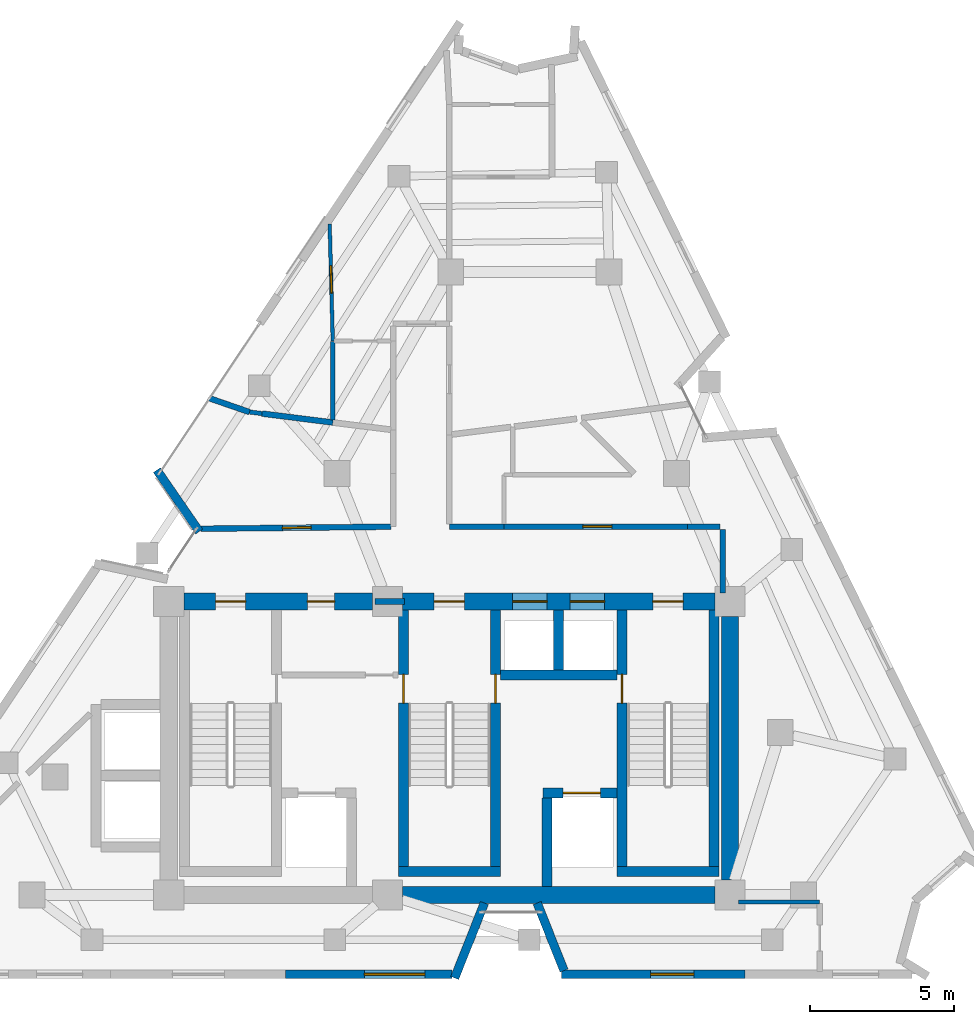
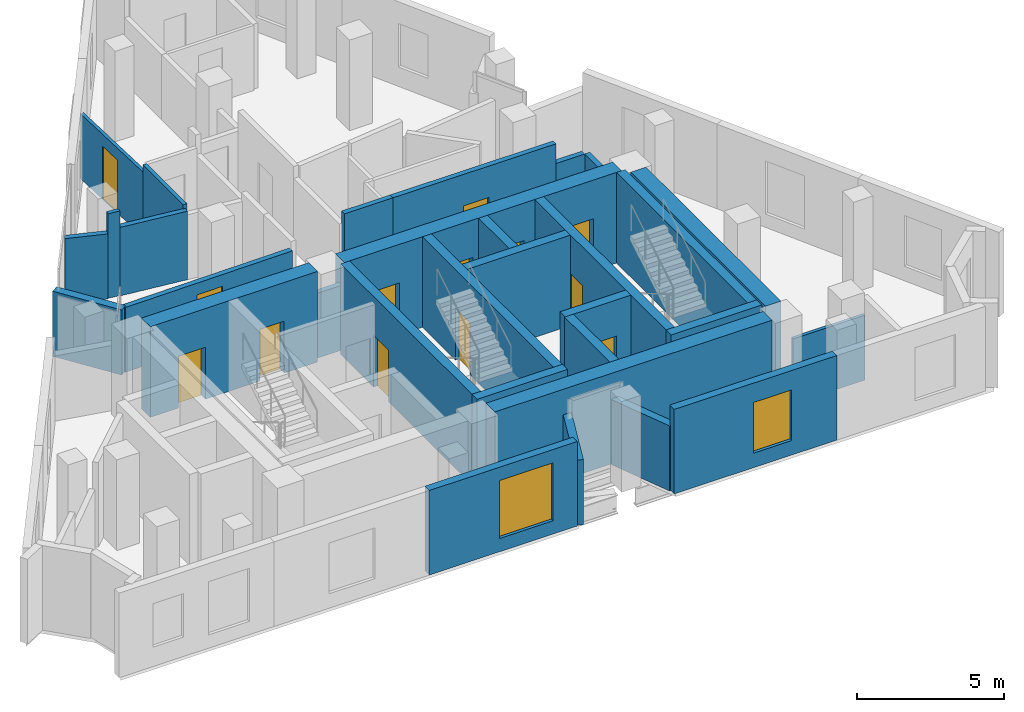
# One storey, part 5 of 8: 31 walls, 13 doors, 2 windows, 15 openings.
"""IFC4 building model written with IfcOpenShell, lengths in metres."""

from ifc_helpers import new_model, si_unit, direction, frame, frame_2d, origin, place, context, subcontext, project, spatial, rectangle, extrude, material, layer, layer_set, type_object, element, fill, save


model = new_model("IFC4")

# Units and contexts
model_context = context("Model", 3, precision=1e-05, world=origin(), true_north=direction((0.0, 1.0)))
body_context = subcontext(model_context, "Body", "Model", "MODEL_VIEW")
ifc_project = project(units=[si_unit("LENGTHUNIT", "METRE"), si_unit("AREAUNIT", "SQUARE_METRE"), si_unit("VOLUMEUNIT", "CUBIC_METRE"), si_unit("PLANEANGLEUNIT", "RADIAN"), si_unit("MASSUNIT", "GRAM", prefix="KILO")], contexts=[model_context])

# Site, building, storey
site_placement = place(None, origin())
site = spatial("IfcSite", under=ifc_project, at=site_placement, CompositionType="ELEMENT")
building_placement = place(site_placement, origin())
building = spatial("IfcBuilding", under=site, at=building_placement, Name="Almagre Mirador Tower", CompositionType="ELEMENT")
storey_placement = place(building_placement, frame((0.0, 0.0, 282.0)))
storey = spatial("IfcBuildingStorey", under=building, at=storey_placement, Name="L73", CompositionType="ELEMENT", Elevation=282.0)

# Wall
ifc_material_1 = material(Name="Precast concrete C50/60", Category="concrete")
ifc_layer_1 = layer(ifc_material_1, 0.300048828125)
ifc_layer_set_1 = layer_set([ifc_layer_1], Name="Precast concrete C50/60")
wall_type_1 = type_object("IfcWallType", Name="WAL-EXT-300", PredefinedType="SOLIDWALL", material=ifc_layer_set_1)
wall_1_placement = place(storey_placement, frame((28.609619140625, 17.180908203125, 0.0), z_axis=(0.0, 0.0, 1.0), x_axis=(-0.567878097956, 0.823112668996, 0.0)))
element("IfcWall", 1, at=wall_1_placement, inside=storey, type_object=wall_type_1, Name="L73 expressed almagre precast frame wall 02", PredefinedType="SOLIDWALL", context=body_context, shape_type="SweptSolid", body=[
    extrude(rectangle(XDim=2.59423828125, YDim=0.300048828125, at=frame_2d((1.297119140625, 0.0))), origin(), (0.0, 0.0, 1.0), 2.696044921875),
])

# Wall, opening, window
wall_2_placement = place(storey_placement, frame((47.568115234375, 1.800048828125, 0.0), z_axis=(0.0, 0.0, 1.0), x_axis=(-1.0, 0.0, 0.0)))
wall_2 = element("IfcWall", 2, at=wall_2_placement, inside=storey, type_object=wall_type_1, Name="L73 expressed almagre precast frame wall 21", PredefinedType="SOLIDWALL", context=body_context, shape_type="SweptSolid", body=[
    extrude(rectangle(XDim=6.3720703125, YDim=0.300048828125, at=frame_2d((3.18603515625, 0.0))), origin(), (0.0, 0.0, 1.0), 3.5),
])
opening_1_placement = place(wall_2_placement, frame((1.77490234375, 0.0, 0.60009765625)))
opening_1 = element("IfcOpeningElement", 3, at=opening_1_placement, cuts=wall_2, Name="Opening WN-03", PredefinedType="OPENING", context=body_context, shape_type="SweptSolid", body=[
    extrude(rectangle(XDim=1.5, YDim=2.10009765625, at=frame_2d((0.75, 1.050048828125))), frame((0.0, 0.159902, 0.0), z_axis=(0.0, -1.0, 0.0), x_axis=(1.0, 0.0, 0.0)), (0.0, 0.0, 1.0), 0.320049),
])
ifc_material_2 = material(Name="Dark solar-control laminated hurricane glass", Category="glass")
window_type_1 = type_object("IfcWindowType", Name="WIN-1500X2100", PartitioningType="DOUBLE_PANEL_VERTICAL", PredefinedType="WINDOW", material=ifc_material_2)
window_1_placement = place(opening_1_placement, origin())
window_1 = element("IfcWindow", 4, at=window_1_placement, inside=storey, type_object=window_type_1, Name="L73 recessed hurricane window L73-UB-KT", OverallHeight=2.10009765625, OverallWidth=1.5, PartitioningType="SINGLE_PANEL", PredefinedType="WINDOW", context=body_context, shape_type="SweptSolid", body=[
    extrude(rectangle(XDim=1.5, YDim=2.10009765625, at=frame_2d((0.75, 1.050048828125))), frame((0.0, 0.030029296875, 0.0), z_axis=(0.0, -1.0, 0.0), x_axis=(1.0, 0.0, 0.0)), (0.0, 0.0, 1.0), 0.06005859375),
])
fill(opening_1, window_1)

# Walls
wall_3_placement = place(storey_placement, frame((41.2861328125, 1.92529296875, 0.0), z_axis=(0.0, 0.0, 1.0), x_axis=(-0.369540985735, 0.929214431583, 0.0)))
element("IfcWall", 5, at=wall_3_placement, inside=storey, type_object=wall_type_1, Name="L73 expressed almagre precast frame wall 22", PredefinedType="SOLIDWALL", context=body_context, shape_type="SweptSolid", body=[
    extrude(rectangle(XDim=2.527099609375, YDim=0.300048828125, at=frame_2d((1.263671875, 0.0))), origin(), (0.0, 0.0, 1.0), 2.696044921875),
])
wall_4_placement = place(storey_placement, frame((38.51953125, 4.2734375, 0.0), z_axis=(0.0, 0.0, 1.0), x_axis=(-0.369466825356, -0.929243921132, 0.0)))
element("IfcWall", 6, at=wall_4_placement, inside=storey, type_object=wall_type_1, Name="L73 expressed almagre precast frame wall 23", PredefinedType="SOLIDWALL", context=body_context, shape_type="SweptSolid", body=[
    extrude(rectangle(XDim=2.8017578125, YDim=0.300048828125, at=frame_2d((1.40087890625, 0.0))), origin(), (0.0, 0.0, 1.0), 2.696044921875),
])

# Wall, opening, window
wall_5_placement = place(storey_placement, frame((37.40087890625, 1.800048828125, 0.0), z_axis=(0.0, 0.0, 1.0), x_axis=(-1.0, 0.0, 0.0)))
wall_5 = element("IfcWall", 7, at=wall_5_placement, inside=storey, type_object=wall_type_1, Name="L73 expressed almagre precast frame wall 24", PredefinedType="SOLIDWALL", context=body_context, shape_type="SweptSolid", body=[
    extrude(rectangle(XDim=5.796875, YDim=0.300048828125, at=frame_2d((2.8984375, 0.0))), origin(), (0.0, 0.0, 1.0), 3.5),
])
opening_2_placement = place(wall_5_placement, frame((0.949951171875, 0.0, 0.550048828125)))
opening_2 = element("IfcOpeningElement", 8, at=opening_2_placement, cuts=wall_5, Name="Opening WN-05", PredefinedType="OPENING", context=body_context, shape_type="SweptSolid", body=[
    extrude(rectangle(XDim=2.10009765625, YDim=2.39990234375, at=frame_2d((1.050048828125, 1.199951171875))), frame((0.0, 0.159902, 0.0), z_axis=(0.0, -1.0, 0.0), x_axis=(1.0, 0.0, 0.0)), (0.0, 0.0, 1.0), 0.320049),
])
ifc_material_3 = material(Name="Dark solar-control laminated hurricane glass", Category="glass")
window_type_2 = type_object("IfcWindowType", Name="WIN-2100X2400", PartitioningType="DOUBLE_PANEL_VERTICAL", PredefinedType="WINDOW", material=ifc_material_3)
window_2_placement = place(opening_2_placement, origin())
window_2 = element("IfcWindow", 9, at=window_2_placement, inside=storey, type_object=window_type_2, Name="L73 recessed hurricane window L73-UA-MB", OverallHeight=2.39990234375, OverallWidth=2.10009765625, PartitioningType="SINGLE_PANEL", PredefinedType="WINDOW", context=body_context, shape_type="SweptSolid", body=[
    extrude(rectangle(XDim=2.10009765625, YDim=2.39990234375, at=frame_2d((1.050048828125, 1.199951171875))), frame((0.0, 0.030029296875, 0.0), z_axis=(0.0, -1.0, 0.0), x_axis=(1.0, 0.0, 0.0)), (0.0, 0.0, 1.0), 0.06005859375),
])
fill(opening_2, window_2)

# Wall
ifc_material_4 = material(Name="Gypsum acoustic stud partition", Category="other")
ifc_layer_2 = layer(ifc_material_4, 0.125)
ifc_layer_set_2 = layer_set([ifc_layer_2], Name="Gypsum acoustic stud partition")
wall_type_2 = type_object("IfcWallType", Name="WAL-PRT-125-UTL", PredefinedType="PARTITIONING", material=ifc_layer_set_2)
wall_6_placement = place(storey_placement, frame((47.35009765625, 4.31005859375, 0.0), z_axis=(0.0, 0.0, 1.0), x_axis=(1.0, 0.0, 0.0)))
element("IfcWall", 10, at=wall_6_placement, inside=storey, type_object=wall_type_2, Name="L73 interior partition 022", PredefinedType="PARTITIONING", context=body_context, shape_type="SweptSolid", body=[
    extrude(rectangle(XDim=2.81982421875, YDim=0.125, at=frame_2d((1.409912109375, 0.0))), origin(), (0.0, 0.0, 1.0), 2.68505859375),
])

# Wall, opening, door
wall_7_placement = place(storey_placement, frame((33.14111328125, 27.863037109375, 0.0), z_axis=(0.0, 0.0, 1.0), x_axis=(0.02679004463, -0.999641082343, 0.0)))
wall_7 = element("IfcWall", 11, at=wall_7_placement, inside=storey, type_object=wall_type_2, Name="L73 interior partition 052", PredefinedType="PARTITIONING", context=body_context, shape_type="SweptSolid", body=[
    extrude(rectangle(XDim=4.064453125, YDim=0.125, at=frame_2d((2.0322265625, 0.0))), origin(), (0.0, 0.0, 1.0), 2.69091796875),
])
opening_3_placement = place(wall_7_placement, frame((1.44580078125, 0.0, 0.0)))
opening_3 = element("IfcOpeningElement", 12, at=opening_3_placement, cuts=wall_7, Name="Opening UD-01", PredefinedType="OPENING", context=body_context, shape_type="SweptSolid", body=[
    extrude(rectangle(XDim=0.949951171875, YDim=2.199951171875, at=frame_2d((0.47509765625, 1.10009765625))), frame((0.0, 0.0725, 0.0), z_axis=(0.0, -1.0, 0.0), x_axis=(1.0, 0.0, 0.0)), (0.0, 0.0, 1.0), 0.145),
])
ifc_material_5 = material(Name="Solid American walnut timber", Category="wood")
door_type_1 = type_object("IfcDoorType", Name="DOR-UNR-950X2200", OperationType="NOTDEFINED", PredefinedType="DOOR", material=ifc_material_5)
door_1_placement = place(opening_3_placement, origin())
door_1 = element("IfcDoor", 13, at=door_1_placement, inside=storey, type_object=door_type_1, Name="DR-2198 L73 interior door L73-UH-ST to L73-UH-KT", OperationType="SINGLE_SWING_LEFT", OverallHeight=2.199951171875, OverallWidth=0.949951171875, PredefinedType="DOOR", context=body_context, shape_type="SweptSolid", body=[
    extrude(rectangle(XDim=0.949951171875, YDim=2.199951171875, at=frame_2d((0.47509765625, 1.10009765625))), frame((0.0, 0.02490234375, 0.0), z_axis=(0.0, -1.0, 0.0), x_axis=(1.0, 0.0, 0.0)), (0.0, 0.0, 1.0), 0.050048828125),
])
fill(opening_3, door_1)

# Walls
ifc_material_6 = material(Name="Gypsum acoustic stud partition", Category="other")
ifc_layer_3 = layer(ifc_material_6, 0.14990234375)
ifc_layer_set_3 = layer_set([ifc_layer_3], Name="Gypsum acoustic stud partition")
wall_type_3 = type_object("IfcWallType", Name="WAL-PRT-150-STD", PredefinedType="PARTITIONING", material=ifc_layer_set_3)
wall_8_placement = place(storey_placement, frame((33.25, 21.054931640625, 0.0), z_axis=(0.0, 0.0, 1.0), x_axis=(0.0, 1.0, 0.0)))
element("IfcWall", 14, at=wall_8_placement, inside=storey, type_object=wall_type_3, Name="L73 interior partition 057", PredefinedType="PARTITIONING", context=body_context, shape_type="SweptSolid", body=[
    extrude(rectangle(XDim=2.732666015625, YDim=0.14990234375, at=frame_2d((1.3662109375, 0.0))), origin(), (0.0, 0.0, 1.0), 3.010009765625),
])
wall_9_placement = place(storey_placement, frame((30.7900390625, 21.281005859375, 0.0), z_axis=(0.0, 0.0, 1.0), x_axis=(-0.992146717956, 0.125079534893, 0.0)))
element("IfcWall", 15, at=wall_9_placement, inside=storey, type_object=wall_type_3, Name="L73 interior partition 068", PredefinedType="PARTITIONING", context=body_context, shape_type="SweptSolid", body=[
    extrude(rectangle(XDim=0.431396484375, YDim=0.14990234375, at=frame_2d((0.2158203125, 0.0))), origin(), (0.0, 0.0, 1.0), 3.5),
])
ifc_material_7 = material(Name="Gypsum acoustic stud partition", Category="other")
ifc_layer_4 = layer(ifc_material_7, 0.199951171875)
ifc_layer_set_4 = layer_set([ifc_layer_4], Name="Gypsum acoustic stud partition")
wall_type_4 = type_object("IfcWallType", Name="WAL-PRT-200-EI60", PredefinedType="PARTITIONING", material=ifc_layer_set_4)
wall_10_placement = place(storey_placement, frame((34.719970703125, 14.75, 0.0), z_axis=(0.0, 0.0, 1.0), x_axis=(1.0, 0.0, 0.0)))
element("IfcWall", 16, at=wall_10_placement, inside=storey, type_object=wall_type_4, Name="L73 core north closure wall", PredefinedType="PARTITIONING", context=body_context, shape_type="SweptSolid", body=[
    extrude(rectangle(XDim=1.030029296875, YDim=0.199951171875, at=frame_2d((0.51513671875, 0.0))), origin(), (0.0, 0.0, 1.0), 2.68505859375),
])

# Wall, opening, door
wall_11_placement = place(storey_placement, frame((35.264892578125, 17.349365234375, 0.0), z_axis=(0.0, 0.0, 1.0), x_axis=(-0.999941633147, -0.010804179718, 0.0)))
wall_11 = element("IfcWall", 17, at=wall_11_placement, inside=storey, type_object=wall_type_4, Name="L73 interior partition 003", PredefinedType="PARTITIONING", context=body_context, shape_type="SweptSolid", body=[
    extrude(rectangle(XDim=6.598388671875, YDim=0.199951171875, at=frame_2d((3.29931640625, 0.0))), origin(), (0.0, 0.0, 1.0), 2.68505859375),
])
opening_4_placement = place(wall_11_placement, frame((2.76611328125, 0.0, 0.0)))
opening_4 = element("IfcOpeningElement", 18, at=opening_4_placement, cuts=wall_11, Name="Opening ID-01", PredefinedType="OPENING", context=body_context, shape_type="SweptSolid", body=[
    extrude(rectangle(XDim=1.0, YDim=2.199951171875, at=frame_2d((0.5, 1.10009765625))), frame((0.0, 0.110098, 0.0), z_axis=(0.0, -1.0, 0.0), x_axis=(1.0, 0.0, 0.0)), (0.0, 0.0, 1.0), 0.219951),
])
ifc_material_8 = material(Name="Fire-rated walnut timber", Category="wood")
door_type_2 = type_object("IfcDoorType", Name="DOR-FD60-1000X2200", OperationType="NOTDEFINED", PredefinedType="DOOR", material=ifc_material_8)
door_2_placement = place(opening_4_placement, origin())
door_2 = element("IfcDoor", 19, at=door_2_placement, inside=storey, type_object=door_type_2, Name="DR-2195 L73 interior door L73-RCOR to L73-UE-ST", OperationType="SINGLE_SWING_LEFT", OverallHeight=2.199951171875, OverallWidth=1.0, PredefinedType="DOOR", context=body_context, shape_type="SweptSolid", body=[
    extrude(rectangle(XDim=1.0, YDim=2.199951171875, at=frame_2d((0.5, 1.10009765625))), frame((0.0, 0.02490234375, 0.0), z_axis=(0.0, -1.0, 0.0), x_axis=(1.0, 0.0, 0.0)), (0.0, 0.0, 1.0), 0.050048828125),
])
fill(opening_4, door_2)

wall_12_placement = place(storey_placement, frame((45.570068359375, 17.35009765625, 0.0), z_axis=(0.0, 0.0, 1.0), x_axis=(-1.0, 0.0, 0.0)))
wall_12 = element("IfcWall", 20, at=wall_12_placement, inside=storey, type_object=wall_type_4, Name="L73 interior partition 005", PredefinedType="PARTITIONING", context=body_context, shape_type="SweptSolid", body=[
    extrude(rectangle(XDim=6.3701171875, YDim=0.199951171875, at=frame_2d((3.18505859375, 0.0))), origin(), (0.0, 0.0, 1.0), 3.5),
])
opening_5_placement = place(wall_12_placement, frame((2.625732421875, 0.0, 0.0)))
opening_5 = element("IfcOpeningElement", 21, at=opening_5_placement, cuts=wall_12, Name="Opening ID-01", PredefinedType="OPENING", context=body_context, shape_type="SweptSolid", body=[
    extrude(rectangle(XDim=1.0, YDim=2.199951171875, at=frame_2d((0.5, 1.10009765625))), frame((0.0, 0.110098, 0.0), z_axis=(0.0, -1.0, 0.0), x_axis=(1.0, 0.0, 0.0)), (0.0, 0.0, 1.0), 0.219951),
])
door_3_placement = place(opening_5_placement, origin())
door_3 = element("IfcDoor", 22, at=door_3_placement, inside=storey, type_object=door_type_2, Name="DR-2196 L73 interior door L73-RCOR to L73-UF-ST", OperationType="SINGLE_SWING_RIGHT", OverallHeight=2.199951171875, OverallWidth=1.0, PredefinedType="DOOR", context=body_context, shape_type="SweptSolid", body=[
    extrude(rectangle(XDim=1.0, YDim=2.199951171875, at=frame_2d((0.5, 1.10009765625))), frame((0.0, 0.02490234375, 0.0), z_axis=(0.0, -1.0, 0.0), x_axis=(1.0, 0.0, 0.0)), (0.0, 0.0, 1.0), 0.050048828125),
])
fill(opening_5, door_3)

# Walls
wall_13_placement = place(storey_placement, frame((39.199951171875, 17.35009765625, 0.0), z_axis=(0.0, 0.0, 1.0), x_axis=(-1.0, 0.0, 0.0)))
element("IfcWall", 23, at=wall_13_placement, inside=storey, type_object=wall_type_4, Name="L73 interior partition 006", PredefinedType="PARTITIONING", context=body_context, shape_type="SweptSolid", body=[
    extrude(rectangle(XDim=1.89990234375, YDim=0.199951171875, at=frame_2d((0.949951171875, 0.0))), origin(), (0.0, 0.0, 1.0), 3.5),
])
wall_14_placement = place(storey_placement, frame((30.360107421875, 21.330078125, 0.0), z_axis=(0.0, 0.0, 1.0), x_axis=(-0.945148583182, 0.32664071349, 0.0)))
element("IfcWall", 24, at=wall_14_placement, inside=storey, type_object=wall_type_4, Name="L73 interior partition 036", PredefinedType="PARTITIONING", context=body_context, shape_type="SweptSolid", body=[
    extrude(rectangle(XDim=1.4814453125, YDim=0.199951171875, at=frame_2d((0.74072265625, 0.0))), origin(), (0.0, 0.0, 1.0), 2.69091796875),
])
wall_15_placement = place(storey_placement, frame((33.25, 20.969970703125, 0.0), z_axis=(0.0, 0.0, 1.0), x_axis=(-0.992150105298, 0.125052663133, 0.0)))
element("IfcWall", 25, at=wall_15_placement, inside=storey, type_object=wall_type_4, Name="L73 interior partition 037", PredefinedType="PARTITIONING", context=body_context, shape_type="SweptSolid", body=[
    extrude(rectangle(XDim=2.4794921875, YDim=0.199951171875, at=frame_2d((1.23974609375, 0.0))), origin(), (0.0, 0.0, 1.0), 2.8349609375),
])
wall_16_placement = place(storey_placement, frame((46.699951171875, 17.35009765625, 0.0), z_axis=(0.0, 0.0, 1.0), x_axis=(-1.0, 0.0, 0.0)))
element("IfcWall", 26, at=wall_16_placement, inside=storey, type_object=wall_type_4, Name="L73 interior partition 063", PredefinedType="PARTITIONING", context=body_context, shape_type="SweptSolid", body=[
    extrude(rectangle(XDim=1.1298828125, YDim=0.199951171875, at=frame_2d((0.56494140625, 0.0))), origin(), (0.0, 0.0, 1.0), 2.68505859375),
])
wall_17_placement = place(storey_placement, frame((46.800048828125, 15.050048828125, 0.0), z_axis=(0.0, 0.0, 1.0), x_axis=(0.0, 1.0, 0.0)))
element("IfcWall", 27, at=wall_17_placement, inside=storey, type_object=wall_type_4, Name="L73 interior partition 064", PredefinedType="PARTITIONING", context=body_context, shape_type="SweptSolid", body=[
    extrude(rectangle(XDim=2.2099609375, YDim=0.199951171875, at=frame_2d((1.10498046875, 0.0))), origin(), (0.0, 0.0, 1.0), 2.68505859375),
])

# Wall, opening, door
ifc_material_9 = material(Name="Concrete C60/75", Category="concrete")
ifc_layer_5 = layer(ifc_material_9, 0.35009765625)
ifc_layer_set_5 = layer_set([ifc_layer_5], Name="Concrete C60/75")
wall_type_5 = type_object("IfcWallType", Name="WAL-SHF-350", PredefinedType="SOLIDWALL", material=ifc_layer_set_5)
wall_18_placement = place(storey_placement, frame((35.699951171875, 5.199951171875, 0.0), z_axis=(0.0, 0.0, 1.0), x_axis=(0.0, 1.0, 0.0)))
wall_18 = element("IfcWall", 28, at=wall_18_placement, inside=storey, type_object=wall_type_5, Name="L73 shaft wall ST2-W", PredefinedType="SOLIDWALL", context=body_context, shape_type="SweptSolid", body=[
    extrude(rectangle(XDim=9.25, YDim=0.35009765625, at=frame_2d((4.625, 0.0))), origin(), (0.0, 0.0, 1.0), 3.75),
])
opening_6_placement = place(wall_18_placement, frame((6.02001953125, 0.0, 0.0)))
opening_6 = element("IfcOpeningElement", 29, at=opening_6_placement, cuts=wall_18, Name="Opening FD-01", PredefinedType="OPENING", context=body_context, shape_type="SweptSolid", body=[
    extrude(rectangle(XDim=1.0, YDim=2.14990234375, at=frame_2d((0.5, 1.074951171875))), frame((0.0, 0.185049, 0.0), z_axis=(0.0, -1.0, 0.0), x_axis=(1.0, 0.0, 0.0)), (0.0, 0.0, 1.0), 0.370098),
])
ifc_material_10 = material(Name="Fire-rated hollow steel", Category="steel")
door_type_3 = type_object("IfcDoorType", Name="DOR-FFL-1000X2150", OperationType="NOTDEFINED", PredefinedType="DOOR", material=ifc_material_10)
door_4_placement = place(opening_6_placement, origin())
door_4 = element("IfcDoor", 30, at=door_4_placement, inside=storey, type_object=door_type_3, Name="DR-2192 L73 FFL1-ST2 smokeproof door", OperationType="SINGLE_SWING_LEFT", OverallHeight=2.14990234375, OverallWidth=1.0, PredefinedType="DOOR", context=body_context, shape_type="SweptSolid", body=[
    extrude(rectangle(XDim=1.0, YDim=2.14990234375, at=frame_2d((0.5, 1.074951171875))), frame((0.0, 0.02490234375, 0.0), z_axis=(0.0, -1.0, 0.0), x_axis=(1.0, 0.0, 0.0)), (0.0, 0.0, 1.0), 0.050048828125),
])
fill(opening_6, door_4)

wall_19_placement = place(storey_placement, frame((38.89990234375, 5.199951171875, 0.0), z_axis=(0.0, 0.0, 1.0), x_axis=(0.0, 1.0, 0.0)))
wall_19 = element("IfcWall", 31, at=wall_19_placement, inside=storey, type_object=wall_type_5, Name="L73 shaft wall ST2-E", PredefinedType="SOLIDWALL", context=body_context, shape_type="SweptSolid", body=[
    extrude(rectangle(XDim=9.25, YDim=0.35009765625, at=frame_2d((4.625, 0.0))), origin(), (0.0, 0.0, 1.0), 3.75),
])
opening_7_placement = place(wall_19_placement, frame((6.02001953125, 0.0, 0.0)))
opening_7 = element("IfcOpeningElement", 32, at=opening_7_placement, cuts=wall_19, Name="Opening FD-01", PredefinedType="OPENING", context=body_context, shape_type="SweptSolid", body=[
    extrude(rectangle(XDim=1.0, YDim=2.14990234375, at=frame_2d((0.5, 1.074951171875))), frame((0.0, 0.185049, 0.0), z_axis=(0.0, -1.0, 0.0), x_axis=(1.0, 0.0, 0.0)), (0.0, 0.0, 1.0), 0.370098),
])
door_5_placement = place(opening_7_placement, origin())
door_5 = element("IfcDoor", 33, at=door_5_placement, inside=storey, type_object=door_type_3, Name="DR-2193 L73 FFL2-ST2 smokeproof door", OperationType="SINGLE_SWING_RIGHT", OverallHeight=2.14990234375, OverallWidth=1.0, PredefinedType="DOOR", context=body_context, shape_type="SweptSolid", body=[
    extrude(rectangle(XDim=1.0, YDim=2.14990234375, at=frame_2d((0.5, 1.074951171875))), frame((0.0, 0.02490234375, 0.0), z_axis=(0.0, -1.0, 0.0), x_axis=(1.0, 0.0, 0.0)), (0.0, 0.0, 1.0), 0.050048828125),
])
fill(opening_7, door_5)

# Wall
wall_20_placement = place(storey_placement, frame((35.52490234375, 5.375, 0.0), z_axis=(0.0, 0.0, 1.0), x_axis=(1.0, 0.0, 0.0)))
element("IfcWall", 34, at=wall_20_placement, inside=storey, type_object=wall_type_5, Name="L73 shaft wall ST2-S", PredefinedType="SOLIDWALL", context=body_context, shape_type="SweptSolid", body=[
    extrude(rectangle(XDim=3.550048828125, YDim=0.35009765625, at=frame_2d((1.77490234375, 0.0))), origin(), (0.0, 0.0, 1.0), 3.75),
])

# Wall, opening, door
wall_21_placement = place(storey_placement, frame((43.300048828125, 5.199951171875, 0.0), z_axis=(0.0, 0.0, 1.0), x_axis=(0.0, 1.0, 0.0)))
wall_21 = element("IfcWall", 35, at=wall_21_placement, inside=storey, type_object=wall_type_5, Name="L73 shaft wall ST3-W", PredefinedType="SOLIDWALL", context=body_context, shape_type="SweptSolid", body=[
    extrude(rectangle(XDim=9.25, YDim=0.35009765625, at=frame_2d((4.625, 0.0))), origin(), (0.0, 0.0, 1.0), 3.75),
])
opening_8_placement = place(wall_21_placement, frame((6.02001953125, 0.0, 0.0)))
opening_8 = element("IfcOpeningElement", 36, at=opening_8_placement, cuts=wall_21, Name="Opening FD-01", PredefinedType="OPENING", context=body_context, shape_type="SweptSolid", body=[
    extrude(rectangle(XDim=1.0, YDim=2.14990234375, at=frame_2d((0.5, 1.074951171875))), frame((0.0, 0.185049, 0.0), z_axis=(0.0, -1.0, 0.0), x_axis=(1.0, 0.0, 0.0)), (0.0, 0.0, 1.0), 0.370098),
])
door_6_placement = place(opening_8_placement, origin())
door_6 = element("IfcDoor", 37, at=door_6_placement, inside=storey, type_object=door_type_3, Name="DR-2194 L73 FFL2-ST3 smokeproof door", OperationType="SINGLE_SWING_LEFT", OverallHeight=2.14990234375, OverallWidth=1.0, PredefinedType="DOOR", context=body_context, shape_type="SweptSolid", body=[
    extrude(rectangle(XDim=1.0, YDim=2.14990234375, at=frame_2d((0.5, 1.074951171875))), frame((0.0, 0.02490234375, 0.0), z_axis=(0.0, -1.0, 0.0), x_axis=(1.0, 0.0, 0.0)), (0.0, 0.0, 1.0), 0.050048828125),
])
fill(opening_8, door_6)

# Walls
wall_22_placement = place(storey_placement, frame((46.5, 5.199951171875, 0.0), z_axis=(0.0, 0.0, 1.0), x_axis=(0.0, 1.0, 0.0)))
element("IfcWall", 38, at=wall_22_placement, inside=storey, type_object=wall_type_5, Name="L73 shaft wall ST3-E", PredefinedType="SOLIDWALL", context=body_context, shape_type="SweptSolid", body=[
    extrude(rectangle(XDim=9.25, YDim=0.35009765625, at=frame_2d((4.625, 0.0))), origin(), (0.0, 0.0, 1.0), 3.75),
])
wall_23_placement = place(storey_placement, frame((43.125, 5.375, 0.0), z_axis=(0.0, 0.0, 1.0), x_axis=(1.0, 0.0, 0.0)))
element("IfcWall", 39, at=wall_23_placement, inside=storey, type_object=wall_type_5, Name="L73 shaft wall ST3-S", PredefinedType="SOLIDWALL", context=body_context, shape_type="SweptSolid", body=[
    extrude(rectangle(XDim=3.550048828125, YDim=0.35009765625, at=frame_2d((1.77490234375, 0.0))), origin(), (0.0, 0.0, 1.0), 3.75),
])

# Wall, opening, door
wall_24_placement = place(storey_placement, frame((40.550048828125, 8.10009765625, 0.0), z_axis=(0.0, 0.0, 1.0), x_axis=(1.0, 0.0, 0.0)))
wall_24 = element("IfcWall", 40, at=wall_24_placement, inside=storey, type_object=wall_type_5, Name="L73 shaft wall FSAE2-N", PredefinedType="SOLIDWALL", context=body_context, shape_type="SweptSolid", body=[
    extrude(rectangle(XDim=2.574951171875, YDim=0.35009765625, at=frame_2d((1.28759765625, 0.0))), origin(), (0.0, 0.0, 1.0), 3.75),
])
opening_9_placement = place(wall_24_placement, frame((0.699951171875, 0.0, 0.0)))
opening_9 = element("IfcOpeningElement", 41, at=opening_9_placement, cuts=wall_24, Name="Opening LD-03", PredefinedType="OPENING", context=body_context, shape_type="SweptSolid", body=[
    extrude(rectangle(XDim=1.300048828125, YDim=2.25, at=frame_2d((0.64990234375, 1.125))), frame((0.0, 0.185049, 0.0), z_axis=(0.0, -1.0, 0.0), x_axis=(1.0, 0.0, 0.0)), (0.0, 0.0, 1.0), 0.370098),
])
ifc_material_11 = material(Name="Hollow stainless steel", Category="steel")
door_type_4 = type_object("IfcDoorType", Name="DOR-LD-1300X2250", OperationType="DOUBLE_DOOR_SLIDING", PredefinedType="DOOR", material=ifc_material_11)
door_7_placement = place(opening_9_placement, origin())
door_7 = element("IfcDoor", 42, at=door_7_placement, inside=storey, type_object=door_type_4, Name="DR-2205 L73 FSAE-2 lift landing door", OperationType="DOUBLE_DOOR_SLIDING", OverallHeight=2.25, OverallWidth=1.300048828125, PredefinedType="DOOR", context=body_context, shape_type="SweptSolid", body=[
    extrude(rectangle(XDim=1.300048828125, YDim=2.25, at=frame_2d((0.64990234375, 1.125))), frame((0.0, 0.02490234375, 0.0), z_axis=(0.0, -1.0, 0.0), x_axis=(1.0, 0.0, 0.0)), (0.0, 0.0, 1.0), 0.050048828125),
])
fill(opening_9, door_7)

# Walls
wall_25_placement = place(storey_placement, frame((40.699951171875, 4.85009765625, 0.0), z_axis=(0.0, 0.0, 1.0), x_axis=(0.0, 1.0, 0.0)))
element("IfcWall", 43, at=wall_25_placement, inside=storey, type_object=wall_type_5, Name="L73 shaft wall FSAE2-W", PredefinedType="SOLIDWALL", context=body_context, shape_type="SweptSolid", body=[
    extrude(rectangle(XDim=3.074951171875, YDim=0.35009765625, at=frame_2d((1.53759765625, 0.0))), origin(), (0.0, 0.0, 1.0), 3.75),
])
wall_26_placement = place(storey_placement, frame((39.074951171875, 12.199951171875, 0.0), z_axis=(0.0, 0.0, 1.0), x_axis=(1.0, 0.0, 0.0)))
element("IfcWall", 44, at=wall_26_placement, inside=storey, type_object=wall_type_5, Name="L73 shaft wall PLH-S", PredefinedType="SOLIDWALL", context=body_context, shape_type="SweptSolid", body=[
    extrude(rectangle(XDim=4.050048828125, YDim=0.35009765625, at=frame_2d((2.02490234375, 0.0))), origin(), (0.0, 0.0, 1.0), 3.75),
])
wall_27_placement = place(storey_placement, frame((41.10009765625, 12.375, 0.0), z_axis=(0.0, 0.0, 1.0), x_axis=(0.0, 1.0, 0.0)))
element("IfcWall", 45, at=wall_27_placement, inside=storey, type_object=wall_type_5, Name="L73 shaft wall PLH-M", PredefinedType="SOLIDWALL", context=body_context, shape_type="SweptSolid", body=[
    extrude(rectangle(XDim=2.074951171875, YDim=0.35009765625, at=frame_2d((1.03759765625, 0.0))), origin(), (0.0, 0.0, 1.0), 3.75),
])
ifc_material_12 = material(Name="Concrete C60/75", Category="concrete")
ifc_layer_6 = layer(ifc_material_12, 0.60009765625)
ifc_layer_set_6 = layer_set([ifc_layer_6], Name="Concrete C60/75")
wall_type_6 = type_object("IfcWallType", Name="WAL-SHR-600", PredefinedType="SHEAR", material=ifc_layer_set_6)
wall_28_placement = place(storey_placement, frame((35.675048828125, 4.550048828125, 0.0), z_axis=(0.0, 0.0, 1.0), x_axis=(1.0, 0.0, 0.0)))
element("IfcWall", 46, at=wall_28_placement, inside=storey, type_object=wall_type_6, Name="L73 core shear wall S2", PredefinedType="SHEAR", context=body_context, shape_type="SweptSolid", body=[
    extrude(rectangle(XDim=10.849853515625, YDim=0.60009765625, at=frame_2d((5.4248046875, 0.0))), origin(), (0.0, 0.0, 1.0), 3.75),
])

# Wall, openings, doors
wall_29_placement = place(storey_placement, frame((28.074951171875, 14.75, 0.0), z_axis=(0.0, 0.0, 1.0), x_axis=(1.0, 0.0, 0.0)))
wall_29 = element("IfcWall", 47, at=wall_29_placement, inside=storey, type_object=wall_type_6, Name="L73 core shear wall N1", PredefinedType="SHEAR", context=body_context, shape_type="SweptSolid", body=[
    extrude(rectangle(XDim=6.550048828125, YDim=0.60009765625, at=frame_2d((3.27490234375, 0.0))), origin(), (0.0, 0.0, 1.0), 3.75),
])
opening_10_placement = place(wall_29_placement, frame((1.10009765625, 0.0, 0.0)))
opening_10 = element("IfcOpeningElement", 48, at=opening_10_placement, cuts=wall_29, Name="Opening SD-01", PredefinedType="OPENING", context=body_context, shape_type="SweptSolid", body=[
    extrude(rectangle(XDim=1.050048828125, YDim=2.14990234375, at=frame_2d((0.52490234375, 1.074951171875))), frame((0.0, 0.310049, 0.0), z_axis=(0.0, -1.0, 0.0), x_axis=(1.0, 0.0, 0.0)), (0.0, 0.0, 1.0), 0.620098),
])
opening_11_placement = place(wall_29_placement, frame((4.2900390625, 0.0, 0.0)))
opening_11 = element("IfcOpeningElement", 49, at=opening_11_placement, cuts=wall_29, Name="Opening FD-02", PredefinedType="OPENING", context=body_context, shape_type="SweptSolid", body=[
    extrude(rectangle(XDim=0.949951171875, YDim=2.14990234375, at=frame_2d((0.47509765625, 1.074951171875))), frame((0.0, 0.310049, 0.0), z_axis=(0.0, -1.0, 0.0), x_axis=(1.0, 0.0, 0.0)), (0.0, 0.0, 1.0), 0.620098),
])
ifc_material_13 = material(Name="Fire-rated hollow steel", Category="steel")
door_type_5 = type_object("IfcDoorType", Name="DOR-FD90-950X2150", OperationType="NOTDEFINED", PredefinedType="DOOR", material=ifc_material_13)
door_8_placement = place(opening_11_placement, origin())
door_8 = element("IfcDoor", 50, at=door_8_placement, inside=storey, type_object=door_type_5, Name="DR-2189 L73 core equipment room north door", OperationType="SINGLE_SWING_LEFT", OverallHeight=2.14990234375, OverallWidth=0.949951171875, PredefinedType="DOOR", context=body_context, shape_type="SweptSolid", body=[
    extrude(rectangle(XDim=0.949951171875, YDim=2.14990234375, at=frame_2d((0.47509765625, 1.074951171875))), frame((0.0, 0.02490234375, 0.0), z_axis=(0.0, -1.0, 0.0), x_axis=(1.0, 0.0, 0.0)), (0.0, 0.0, 1.0), 0.050048828125),
])
fill(opening_11, door_8)
ifc_material_14 = material(Name="Fire-rated hollow steel", Category="steel")
door_type_6 = type_object("IfcDoorType", Name="DOR-ST-1050X2150", OperationType="NOTDEFINED", PredefinedType="DOOR", material=ifc_material_14)
door_9_placement = place(opening_10_placement, origin())
door_9 = element("IfcDoor", 51, at=door_9_placement, inside=storey, type_object=door_type_6, Name="DR-2208 L73 protected exit stair ST-1 door", OperationType="SINGLE_SWING_LEFT", OverallHeight=2.14990234375, OverallWidth=1.050048828125, PredefinedType="DOOR", context=body_context, shape_type="SweptSolid", body=[
    extrude(rectangle(XDim=1.050048828125, YDim=2.14990234375, at=frame_2d((0.52490234375, 1.074951171875))), frame((0.0, 0.02490234375, 0.0), z_axis=(0.0, -1.0, 0.0), x_axis=(1.0, 0.0, 0.0)), (0.0, 0.0, 1.0), 0.050048828125),
])
fill(opening_10, door_9)

wall_30_placement = place(storey_placement, frame((35.675048828125, 14.75, 0.0), z_axis=(0.0, 0.0, 1.0), x_axis=(1.0, 0.0, 0.0)))
wall_30 = element("IfcWall", 52, at=wall_30_placement, inside=storey, type_object=wall_type_6, Name="L73 core shear wall N2", PredefinedType="SHEAR", context=body_context, shape_type="SweptSolid", body=[
    extrude(rectangle(XDim=10.849853515625, YDim=0.60009765625, at=frame_2d((5.4248046875, 0.0))), origin(), (0.0, 0.0, 1.0), 3.75),
])
opening_12_placement = place(wall_30_placement, frame((1.10009765625, 0.0, 0.0)))
opening_12 = element("IfcOpeningElement", 53, at=opening_12_placement, cuts=wall_30, Name="Opening SD-01", PredefinedType="OPENING", context=body_context, shape_type="SweptSolid", body=[
    extrude(rectangle(XDim=1.050048828125, YDim=2.14990234375, at=frame_2d((0.52490234375, 1.074951171875))), frame((0.0, 0.310049, 0.0), z_axis=(0.0, -1.0, 0.0), x_axis=(1.0, 0.0, 0.0)), (0.0, 0.0, 1.0), 0.620098),
])
opening_13_placement = place(wall_30_placement, frame((8.699951171875, 0.0, 0.0)))
opening_13 = element("IfcOpeningElement", 54, at=opening_13_placement, cuts=wall_30, Name="Opening SD-01", PredefinedType="OPENING", context=body_context, shape_type="SweptSolid", body=[
    extrude(rectangle(XDim=1.050048828125, YDim=2.14990234375, at=frame_2d((0.52490234375, 1.074951171875))), frame((0.0, 0.310049, 0.0), z_axis=(0.0, -1.0, 0.0), x_axis=(1.0, 0.0, 0.0)), (0.0, 0.0, 1.0), 0.620098),
])
opening_14_placement = place(wall_30_placement, frame((3.824951171875, 0.0, 0.0)))
opening_14 = element("IfcOpeningElement", 55, at=opening_14_placement, cuts=wall_30, Name="Opening LD-02", PredefinedType="OPENING", context=body_context, shape_type="SweptSolid", body=[
    extrude(rectangle(XDim=1.199951171875, YDim=2.199951171875, at=frame_2d((0.60009765625, 1.10009765625))), frame((0.0, 0.310049, 0.0), z_axis=(0.0, -1.0, 0.0), x_axis=(1.0, 0.0, 0.0)), (0.0, 0.0, 1.0), 0.620098),
])
opening_15_placement = place(wall_30_placement, frame((5.824951171875, 0.0, 0.0)))
opening_15 = element("IfcOpeningElement", 56, at=opening_15_placement, cuts=wall_30, Name="Opening LD-02", PredefinedType="OPENING", context=body_context, shape_type="SweptSolid", body=[
    extrude(rectangle(XDim=1.199951171875, YDim=2.199951171875, at=frame_2d((0.60009765625, 1.10009765625))), frame((0.0, 0.310049, 0.0), z_axis=(0.0, -1.0, 0.0), x_axis=(1.0, 0.0, 0.0)), (0.0, 0.0, 1.0), 0.620098),
])
ifc_material_15 = material(Name="Hollow stainless steel", Category="steel")
door_type_7 = type_object("IfcDoorType", Name="DOR-LD-1200X2200", OperationType="DOUBLE_DOOR_SLIDING", PredefinedType="DOOR", material=ifc_material_15)
door_10_placement = place(opening_14_placement, origin())
door_10 = element("IfcDoor", 57, at=door_10_placement, inside=storey, type_object=door_type_7, Name="DR-2206 L73 PL-H1 lift landing door", OperationType="DOUBLE_DOOR_SLIDING", OverallHeight=2.199951171875, OverallWidth=1.199951171875, PredefinedType="DOOR", context=body_context, shape_type="SweptSolid", body=[
    extrude(rectangle(XDim=1.199951171875, YDim=2.199951171875, at=frame_2d((0.60009765625, 1.10009765625))), frame((0.0, 0.02490234375, 0.0), z_axis=(0.0, -1.0, 0.0), x_axis=(1.0, 0.0, 0.0)), (0.0, 0.0, 1.0), 0.050048828125),
])
fill(opening_14, door_10)
door_11_placement = place(opening_15_placement, origin())
door_11 = element("IfcDoor", 58, at=door_11_placement, inside=storey, type_object=door_type_7, Name="DR-2207 L73 PL-H2 lift landing door", OperationType="DOUBLE_DOOR_SLIDING", OverallHeight=2.199951171875, OverallWidth=1.199951171875, PredefinedType="DOOR", context=body_context, shape_type="SweptSolid", body=[
    extrude(rectangle(XDim=1.199951171875, YDim=2.199951171875, at=frame_2d((0.60009765625, 1.10009765625))), frame((0.0, 0.02490234375, 0.0), z_axis=(0.0, -1.0, 0.0), x_axis=(1.0, 0.0, 0.0)), (0.0, 0.0, 1.0), 0.050048828125),
])
fill(opening_15, door_11)
door_12_placement = place(opening_12_placement, origin())
door_12 = element("IfcDoor", 59, at=door_12_placement, inside=storey, type_object=door_type_6, Name="DR-2209 L73 protected exit stair ST-2 door", OperationType="SINGLE_SWING_RIGHT", OverallHeight=2.14990234375, OverallWidth=1.050048828125, PredefinedType="DOOR", context=body_context, shape_type="SweptSolid", body=[
    extrude(rectangle(XDim=1.050048828125, YDim=2.14990234375, at=frame_2d((0.52490234375, 1.074951171875))), frame((0.0, 0.02490234375, 0.0), z_axis=(0.0, -1.0, 0.0), x_axis=(1.0, 0.0, 0.0)), (0.0, 0.0, 1.0), 0.050048828125),
])
fill(opening_12, door_12)
door_13_placement = place(opening_13_placement, origin())
door_13 = element("IfcDoor", 60, at=door_13_placement, inside=storey, type_object=door_type_6, Name="DR-2210 L73 protected exit stair ST-3 door", OperationType="SINGLE_SWING_LEFT", OverallHeight=2.14990234375, OverallWidth=1.050048828125, PredefinedType="DOOR", context=body_context, shape_type="SweptSolid", body=[
    extrude(rectangle(XDim=1.050048828125, YDim=2.14990234375, at=frame_2d((0.52490234375, 1.074951171875))), frame((0.0, 0.02490234375, 0.0), z_axis=(0.0, -1.0, 0.0), x_axis=(1.0, 0.0, 0.0)), (0.0, 0.0, 1.0), 0.050048828125),
])
fill(opening_13, door_13)

# Wall
wall_31_placement = place(storey_placement, frame((47.050048828125, 5.074951171875, 0.0), z_axis=(0.0, 0.0, 1.0), x_axis=(0.0, 1.0, 0.0)))
element("IfcWall", 61, at=wall_31_placement, inside=storey, type_object=wall_type_6, Name="L73 core shear wall E1", PredefinedType="SHEAR", context=body_context, shape_type="SweptSolid", body=[
    extrude(rectangle(XDim=9.150146484375, YDim=0.60009765625, at=frame_2d((4.5751953125, 0.0))), origin(), (0.0, 0.0, 1.0), 3.75),
])

save(model, "model.ifc")
